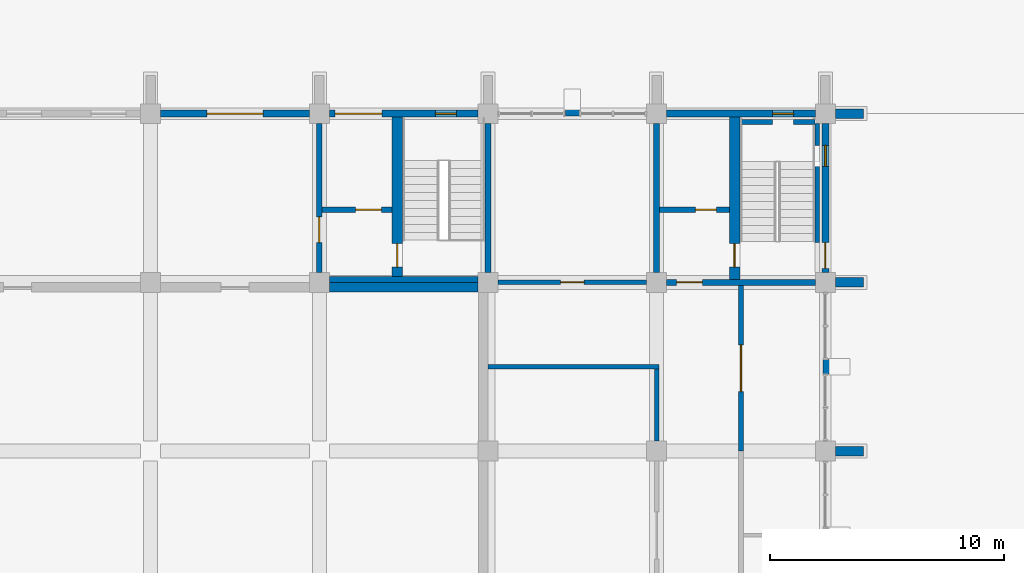
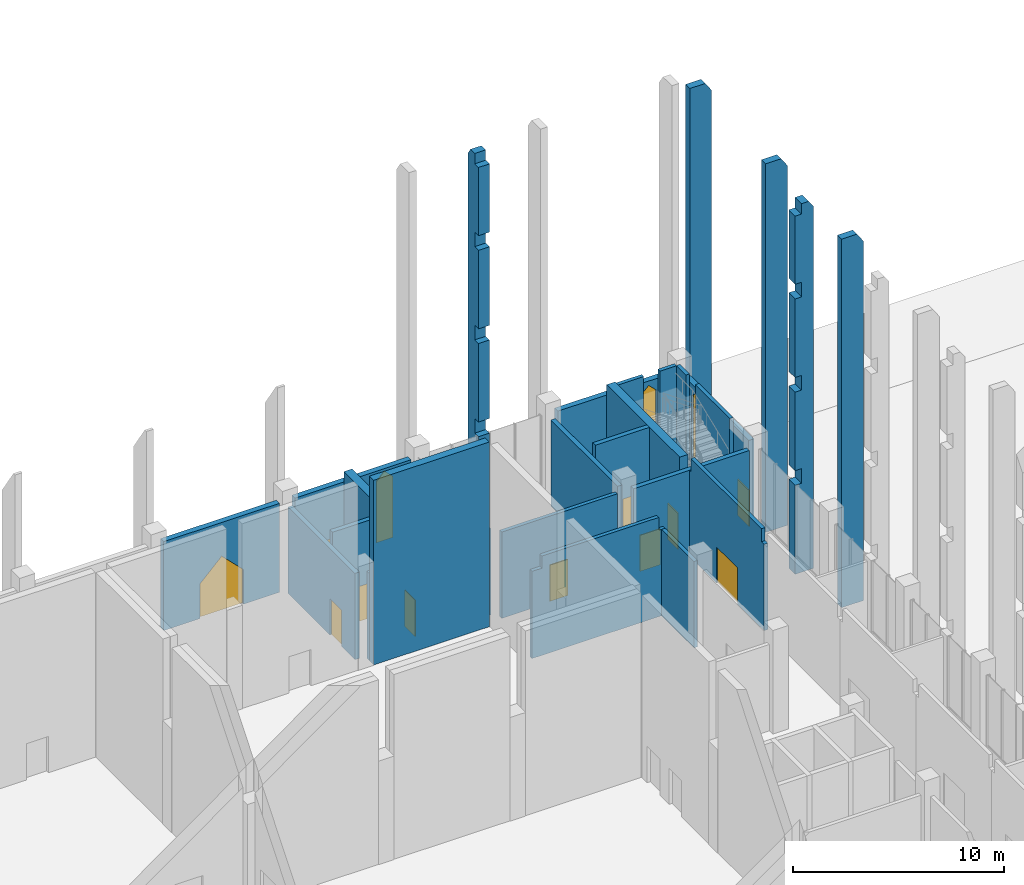
# One storey, part 39 of 50: 27 walls, 11 doors, 3 windows, 14 openings.
"""IFC4 building model written with IfcOpenShell, lengths in metres."""

from ifc_helpers import new_model, si_unit, direction, frame, frame_2d, origin, place, context, subcontext, project, spatial, polyline, rectangle, outline, extrude, material, layer, layer_set, type_object, element, fill, save


model = new_model("IFC4")

# Units and contexts
model_context = context("Model", 3, precision=1e-05, world=origin(), true_north=direction((0.0, 1.0)))
body_context = subcontext(model_context, "Body", "Model", "MODEL_VIEW")
ifc_project = project(units=[si_unit("LENGTHUNIT", "METRE"), si_unit("AREAUNIT", "SQUARE_METRE"), si_unit("VOLUMEUNIT", "CUBIC_METRE"), si_unit("PLANEANGLEUNIT", "RADIAN"), si_unit("MASSUNIT", "GRAM", prefix="KILO")], contexts=[model_context])

# Site, building, storey
site_placement = place(None, origin())
site = spatial("IfcSite", under=ifc_project, at=site_placement, CompositionType="ELEMENT")
building_placement = place(site_placement, origin())
building = spatial("IfcBuilding", under=site, at=building_placement, Name="Silangan Lancet Faculty of Sciences", CompositionType="ELEMENT")
storey_placement = place(building_placement, origin())
storey = spatial("IfcBuildingStorey", under=building, at=storey_placement, Name="L00", CompositionType="ELEMENT", Elevation=0.0)

# Wall, openings, window, door
ifc_material_1 = material(Name="Concrete C40/50 precast", Category="concrete")
ifc_layer_1 = layer(ifc_material_1, 0.300048828125)
ifc_layer_set_1 = layer_set([ifc_layer_1], Name="Concrete C40/50 precast")
wall_type_1 = type_object("IfcWallType", Name="EW2 Turret enclosure wall", PredefinedType="STANDARD", material=ifc_layer_set_1)
wall_1_placement = place(storey_placement, frame((86.39990234375, 50.824951171875, 0.0), z_axis=(0.0, 0.0, 1.0), x_axis=(0.0, 1.0, 0.0)))
wall_1 = element("IfcWall", 1, at=wall_1_placement, inside=storey, type_object=wall_type_1, Name="EW-L00-E-EB-07", PredefinedType="STANDARD", context=body_context, shape_type="SweptSolid", body=[
    extrude(rectangle(XDim=6.35009765625, YDim=0.300048828125, at=frame_2d((3.175048828125, 0.0))), origin(), (0.0, 0.0, 1.0), 5.14990234375),
])
opening_1_placement = place(wall_1_placement, frame((0.175048828125, 0.0, 0.0)))
opening_1 = element("IfcOpeningElement", 2, at=opening_1_placement, cuts=wall_1, Name="Opening L00-904", PredefinedType="OPENING", context=body_context, shape_type="SweptSolid", body=[
    extrude(rectangle(XDim=1.10009765625, YDim=2.10009765625, at=frame_2d((0.550048828125, 1.050048828125))), frame((0.0, 0.159912109375, 0.0), z_axis=(0.0, -1.0, 0.0), x_axis=(1.0, 0.0, 0.0)), (0.0, 0.0, 1.0), 0.320068359375),
])
opening_2_placement = place(wall_1_placement, frame((4.52490234375, 0.0, 0.89990234375)))
opening_2 = element("IfcOpeningElement", 3, at=opening_2_placement, cuts=wall_1, Name="Opening W2", PredefinedType="OPENING", context=body_context, shape_type="SweptSolid", body=[
    extrude(outline(polyline([(0.0, 0.0), (0.89990234375, 0.0), (0.89990234375, 3.550048828125), (0.449951171875, 4.0), (0.0, 3.550048828125), (0.0, 0.0)])), frame((0.0, 0.159912109375, 0.0), z_axis=(0.0, -1.0, 0.0), x_axis=(1.0, 0.0, 0.0)), (0.0, 0.0, 1.0), 0.320068359375),
])
ifc_material_2 = material(Name="Aluminium frame, laminated double glazing", Category="aluminium")
window_type = type_object("IfcWindowType", Name="W2 Lancet window 900 x 4000", PartitioningType="SINGLE_PANEL", PredefinedType="WINDOW", material=ifc_material_2)
window_1_placement = place(opening_2_placement, origin())
window_1 = element("IfcWindow", 4, at=window_1_placement, inside=storey, type_object=window_type, Name="WIN-L00-E-EB-07b", OverallHeight=4.0, OverallWidth=0.89990234375, PartitioningType="SINGLE_PANEL", PredefinedType="WINDOW", context=body_context, shape_type="SweptSolid", body=[
    extrude(outline(polyline([(0.0, 0.0), (0.89990234375, 0.0), (0.89990234375, 3.550048828125), (0.449951171875, 4.0), (0.0, 3.550048828125), (0.0, 0.0)])), frame((0.0, 0.030029296875, 0.0), z_axis=(0.0, -1.0, 0.0), x_axis=(1.0, 0.0, 0.0)), (0.0, 0.0, 1.0), 0.06005859375),
])
fill(opening_2, window_1)
ifc_material_3 = material(Name="Steel hollow-metal, fire rated", Category="steel")
door_type_1 = type_object("IfcDoorType", Name="XD1 Stair discharge door 1100 x 2100", OperationType="SINGLE_SWING_LEFT", PredefinedType="DOOR", material=ifc_material_3)
door_1_placement = place(opening_1_placement, frame((1.10009765625, 0.0, 0.0), z_axis=(0.0, 0.0, 1.0), x_axis=(-1.0, 0.0, 0.0)))
door_1 = element("IfcDoor", 5, at=door_1_placement, inside=storey, type_object=door_type_1, Name="DOOR-L00-904", OperationType="SINGLE_SWING_RIGHT", OverallHeight=2.10009765625, OverallWidth=1.10009765625, PredefinedType="DOOR", context=body_context, shape_type="SweptSolid", body=[
    extrude(rectangle(XDim=1.10009765625, YDim=2.10009765625, at=frame_2d((0.550048828125, 1.050048828125))), frame((0.0, 0.025146484375, 0.0), z_axis=(0.0, -1.0, 0.0), x_axis=(1.0, 0.0, 0.0)), (0.0, 0.0, 1.0), 0.050048828125),
])
fill(opening_1, door_1)

# Wall, opening, window
wall_2_placement = place(storey_placement, frame((85.97509765625, 57.60009765625, 0.0), z_axis=(0.0, 0.0, 1.0), x_axis=(-1.0, 0.0, 0.0)))
wall_2 = element("IfcWall", 6, at=wall_2_placement, inside=storey, type_object=wall_type_1, Name="EW-L00-N-EB-00", PredefinedType="STANDARD", context=body_context, shape_type="SweptSolid", body=[
    extrude(rectangle(XDim=6.35009765625, YDim=0.300048828125, at=frame_2d((3.175048828125, 0.0))), origin(), (0.0, 0.0, 1.0), 5.14990234375),
])
opening_3_placement = place(wall_2_placement, frame((0.925048828125, 0.0, 0.89990234375)))
opening_3 = element("IfcOpeningElement", 7, at=opening_3_placement, cuts=wall_2, Name="Opening W2", PredefinedType="OPENING", context=body_context, shape_type="SweptSolid", body=[
    extrude(outline(polyline([(0.0, 0.0), (0.89990234375, 0.0), (0.89990234375, 3.550048828125), (0.449951171875, 4.0), (0.0, 3.550048828125), (0.0, 0.0)])), frame((0.0, 0.159912109375, 0.0), z_axis=(0.0, -1.0, 0.0), x_axis=(1.0, 0.0, 0.0)), (0.0, 0.0, 1.0), 0.320068359375),
])
window_2_placement = place(opening_3_placement, origin())
window_2 = element("IfcWindow", 8, at=window_2_placement, inside=storey, type_object=window_type, Name="WIN-L00-N-EB-00a", OverallHeight=4.0, OverallWidth=0.89990234375, PartitioningType="SINGLE_PANEL", PredefinedType="WINDOW", context=body_context, shape_type="SweptSolid", body=[
    extrude(outline(polyline([(0.0, 0.0), (0.89990234375, 0.0), (0.89990234375, 3.550048828125), (0.449951171875, 4.0), (0.0, 3.550048828125), (0.0, 0.0)])), frame((0.0, 0.030029296875, 0.0), z_axis=(0.0, -1.0, 0.0), x_axis=(1.0, 0.0, 0.0)), (0.0, 0.0, 1.0), 0.06005859375),
])
fill(opening_3, window_2)

# Wall, openings, window, door
wall_3_placement = place(storey_placement, frame((71.574951171875, 57.60009765625, 0.0), z_axis=(0.0, 0.0, 1.0), x_axis=(-1.0, 0.0, 0.0)))
wall_3 = element("IfcWall", 9, at=wall_3_placement, inside=storey, type_object=wall_type_1, Name="EW-L00-N-NAB-00", PredefinedType="STANDARD", context=body_context, shape_type="SweptSolid", body=[
    extrude(rectangle(XDim=6.349853515625, YDim=0.300048828125, at=frame_2d((3.1748046875, 0.0))), origin(), (0.0, 0.0, 1.0), 5.14990234375),
])
opening_4_placement = place(wall_3_placement, frame((4.10009765625, 0.0, 0.0)))
opening_4 = element("IfcOpeningElement", 10, at=opening_4_placement, cuts=wall_3, Name="Opening L00-910", PredefinedType="OPENING", context=body_context, shape_type="SweptSolid", body=[
    extrude(rectangle(XDim=2.0, YDim=2.10009765625, at=frame_2d((1.0, 1.050048828125))), frame((0.0, 0.159912109375, 0.0), z_axis=(0.0, -1.0, 0.0), x_axis=(1.0, 0.0, 0.0)), (0.0, 0.0, 1.0), 0.320068359375),
])
opening_5_placement = place(wall_3_placement, frame((0.925048828125, 0.0, 0.89990234375)))
opening_5 = element("IfcOpeningElement", 11, at=opening_5_placement, cuts=wall_3, Name="Opening W2", PredefinedType="OPENING", context=body_context, shape_type="SweptSolid", body=[
    extrude(outline(polyline([(0.0, 0.0), (0.89990234375, 0.0), (0.89990234375, 3.550048828125), (0.449951171875, 4.0), (0.0, 3.550048828125), (0.0, 0.0)])), frame((0.0, 0.159912109375, 0.0), z_axis=(0.0, -1.0, 0.0), x_axis=(1.0, 0.0, 0.0)), (0.0, 0.0, 1.0), 0.320068359375),
])
window_3_placement = place(opening_5_placement, origin())
window_3 = element("IfcWindow", 12, at=window_3_placement, inside=storey, type_object=window_type, Name="WIN-L00-N-NAB-00a", OverallHeight=4.0, OverallWidth=0.89990234375, PartitioningType="SINGLE_PANEL", PredefinedType="WINDOW", context=body_context, shape_type="SweptSolid", body=[
    extrude(outline(polyline([(0.0, 0.0), (0.89990234375, 0.0), (0.89990234375, 3.550048828125), (0.449951171875, 4.0), (0.0, 3.550048828125), (0.0, 0.0)])), frame((0.0, 0.030029296875, 0.0), z_axis=(0.0, -1.0, 0.0), x_axis=(1.0, 0.0, 0.0)), (0.0, 0.0, 1.0), 0.06005859375),
])
fill(opening_5, window_3)
ifc_material_4 = material(Name="Steel hollow-metal, fire rated", Category="steel")
door_type_2 = type_object("IfcDoorType", Name="XD2 Exit passage door pair 2000 x 2100", OperationType="DOUBLE_DOOR_SINGLE_SWING", PredefinedType="DOOR", material=ifc_material_4)
door_2_placement = place(opening_4_placement, frame((2.0, 0.0, 0.0), z_axis=(0.0, 0.0, 1.0), x_axis=(-1.0, 0.0, 0.0)))
door_2 = element("IfcDoor", 13, at=door_2_placement, inside=storey, type_object=door_type_2, Name="DOOR-L00-910", OperationType="DOUBLE_DOOR_SINGLE_SWING", OverallHeight=2.10009765625, OverallWidth=2.0, PredefinedType="DOOR", context=body_context, shape_type="SweptSolid", body=[
    extrude(rectangle(XDim=2.0, YDim=2.10009765625, at=frame_2d((1.0, 1.050048828125))), frame((0.0, 0.025146484375, 0.0), z_axis=(0.0, -1.0, 0.0), x_axis=(1.0, 0.0, 0.0)), (0.0, 0.0, 1.0), 0.050048828125),
])
fill(opening_4, door_2)

# Wall, opening, door
ifc_material_5 = material(Name="Concrete C40/50", Category="concrete")
ifc_layer_2 = layer(ifc_material_5, 0.300048828125)
ifc_layer_set_2 = layer_set([ifc_layer_2], Name="Concrete C40/50")
wall_type_2 = type_object("IfcWallType", Name="EW6 Stone-faced base wall", PredefinedType="STANDARD", material=ifc_layer_set_2)
wall_4_placement = place(storey_placement, frame((64.375, 57.60009765625, 0.0), z_axis=(0.0, 0.0, 1.0), x_axis=(-1.0, 0.0, 0.0)))
wall_4 = element("IfcWall", 14, at=wall_4_placement, inside=storey, type_object=wall_type_2, Name="EW-L00-N-NAB-01", PredefinedType="STANDARD", context=body_context, shape_type="SweptSolid", body=[
    extrude(rectangle(XDim=6.35009765625, YDim=0.300048828125, at=frame_2d((3.175048828125, 0.0))), origin(), (0.0, 0.0, 1.0), 5.14990234375),
])
opening_6_placement = place(wall_4_placement, frame((1.97509765625, 0.0, 0.0)))
opening_6 = element("IfcOpeningElement", 15, at=opening_6_placement, cuts=wall_4, Name="Opening L00-915", PredefinedType="OPENING", context=body_context, shape_type="SweptSolid", body=[
    extrude(outline(polyline([(0.0, 0.0), (2.39990234375, 0.0), (2.39990234375, 2.0), (1.199951171875, 3.199951171875), (0.0, 2.0), (0.0, 0.0)])), frame((0.0, 0.159912109375, 0.0), z_axis=(0.0, -1.0, 0.0), x_axis=(1.0, 0.0, 0.0)), (0.0, 0.0, 1.0), 0.320068359375),
])
ifc_material_6 = material(Name="Aluminium frame, laminated glazing", Category="aluminium")
door_type_3 = type_object("IfcDoorType", Name="XD5 Entrance door pair 2400 x 3200", OperationType="DOUBLE_DOOR_SINGLE_SWING", PredefinedType="DOOR", material=ifc_material_6)
door_3_placement = place(opening_6_placement, frame((2.39990234375, 0.0, 0.0), z_axis=(0.0, 0.0, 1.0), x_axis=(-1.0, 0.0, 0.0)))
door_3 = element("IfcDoor", 16, at=door_3_placement, inside=storey, type_object=door_type_3, Name="DOOR-L00-915", OperationType="DOUBLE_DOOR_SINGLE_SWING", OverallHeight=3.199951171875, OverallWidth=2.39990234375, PredefinedType="DOOR", context=body_context, shape_type="SweptSolid", body=[
    extrude(outline(polyline([(2.39990234375, 2.0), (1.199951171875, 3.199951171875), (0.0, 2.0), (0.0, 0.0), (2.39990234375, 0.0), (2.39990234375, 2.0)])), frame((0.0, 0.025146484375, 0.0), z_axis=(0.0, -1.0, 0.0), x_axis=(1.0, 0.0, 0.0)), (0.0, 0.0, 1.0), 0.050048828125),
])
fill(opening_6, door_3)

# Walls
ifc_material_7 = material(Name="Concrete C40/50 precast", Category="concrete")
ifc_layer_3 = layer(ifc_material_7, 0.60009765625)
ifc_layer_set_3 = layer_set([ifc_layer_3], Name="Concrete C40/50 precast")
wall_type_3 = type_object("IfcWallType", Name="FN1 Buttress Fin mid-bay stage 1 21350", PredefinedType="POLYGONAL", material=ifc_layer_set_3)
for number, where, z_axis, x_axis, name in (
    (17, (86.300048828125, 46.800048828125, 0.0), (0.0, 0.0, 1.0), (1.0, 0.0, 0.0), "FIN-E-EB-11"),
    (18, (75.60009765625, 57.5, 0.0), (0.0, 0.0, 1.0), (0.0, 1.0, 0.0), "FIN-N-EB-1"),
):
    element("IfcWall", number, at=place(storey_placement, frame(where, z_axis=z_axis, x_axis=x_axis)), inside=storey, type_object=wall_type_3, Name=name, PredefinedType="POLYGONAL", context=body_context, shape_type="SweptSolid", body=[
        extrude(outline(polyline([(1.0, 0.0), (1.0, 20.97509765625), (0.75, 21.35009765625), (0.35009765625, 21.35009765625), (0.35009765625, 20.75), (0.0, 20.75), (0.0, 16.800048828125), (0.35009765625, 16.800048828125), (0.35009765625, 15.949951171875), (0.0, 15.949951171875), (0.0, 11.39990234375), (0.35009765625, 11.39990234375), (0.35009765625, 10.550048828125), (0.0, 10.550048828125), (0.0, 6.0), (0.35009765625, 6.0), (0.35009765625, 5.14990234375), (0.0, 5.14990234375), (0.0, 0.0), (1.0, 0.0)])), frame((0.0, 0.300048828125, 0.0), z_axis=(0.0, -1.0, 0.0), x_axis=(1.0, 0.0, 0.0)), (0.0, 0.0, 1.0), 0.60009765625),
    ])
ifc_material_8 = material(Name="Concrete C40/50 precast", Category="concrete")
ifc_layer_4 = layer(ifc_material_8, 0.39990234375)
ifc_layer_set_4 = layer_set([ifc_layer_4], Name="Concrete C40/50 precast")
wall_type_4 = type_object("IfcWallType", Name="FN55 Buttress Fin column line stage 1 21350", PredefinedType="POLYGONAL", material=ifc_layer_set_4)
for number, where, z_axis, x_axis, name in (
    (19, (86.824951171875, 43.199951171875, 0.0), (0.0, 0.0, 1.0), (1.0, 0.0, 0.0), "FINC-E-EB-07"),
    (20, (86.824951171875, 50.39990234375, 0.0), (0.0, 0.0, 1.0), (1.0, 0.0, 0.0), "FINC-E-EB-08"),
    (21, (86.824951171875, 57.60009765625, 0.0), (0.0, 0.0, 1.0), (1.0, 0.0, 0.0), "FINC-E-EB-09"),
):
    element("IfcWall", number, at=place(storey_placement, frame(where, z_axis=z_axis, x_axis=x_axis)), inside=storey, type_object=wall_type_4, Name=name, PredefinedType="POLYGONAL", context=body_context, shape_type="SweptSolid", body=[
        extrude(outline(polyline([(1.199951171875, 0.0), (1.199951171875, 20.824951171875), (0.85009765625, 21.35009765625), (0.0, 21.35009765625), (0.0, 0.0), (1.199951171875, 0.0)])), frame((0.0, 0.199951171875, 0.0), z_axis=(0.0, -1.0, 0.0), x_axis=(1.0, 0.0, 0.0)), (0.0, 0.0, 1.0), 0.39990234375),
    ])
ifc_material_9 = material(Name="Hollow block masonry fm 7 MPa", Category="masonry")
ifc_layer_5 = layer(ifc_material_9, 0.199951171875)
ifc_layer_set_5 = layer_set([ifc_layer_5], Name="Hollow block masonry fm 7 MPa")
wall_type_5 = type_object("IfcWallType", Name="Interior wall PW1 Corridor wall CHB 200", PredefinedType="PARTITIONING", material=ifc_layer_set_5)
wall_5_placement = place(storey_placement, frame((72.0, 46.800048828125, 0.0), z_axis=(0.0, 0.0, 1.0), x_axis=(1.0, 0.0, 0.0)))
element("IfcWall", 22, at=wall_5_placement, inside=storey, type_object=wall_type_5, Name="Corridor wall CHB 200", PredefinedType="PARTITIONING", context=body_context, shape_type="SweptSolid", body=[
    extrude(outline(polyline([(0.0, 0.0), (7.300048828125, 0.0), (7.300048828125, 5.0), (6.949951171875, 5.0), (6.949951171875, 5.75), (0.550048828125, 5.75), (0.550048828125, 5.050048828125), (0.0, 5.050048828125), (0.0, 0.0)])), frame((0.0, 0.10009765625, 0.0), z_axis=(0.0, -1.0, 0.0), x_axis=(1.0, 0.0, 0.0)), (0.0, 0.0, 1.0), 0.199951171875),
])

# Wall, opening, door
wall_6_placement = place(storey_placement, frame((72.425048828125, 50.39990234375, 0.0), z_axis=(0.0, 0.0, 1.0), x_axis=(1.0, 0.0, 0.0)))
wall_6 = element("IfcWall", 23, at=wall_6_placement, inside=storey, type_object=wall_type_5, Name="Corridor wall CHB 200", PredefinedType="PARTITIONING", context=body_context, shape_type="SweptSolid", body=[
    extrude(rectangle(XDim=6.349853515625, YDim=0.199951171875, at=frame_2d((3.1748046875, 0.0))), origin(), (0.0, 0.0, 1.0), 5.0),
])
opening_7_placement = place(wall_6_placement, frame((2.675048828125, 0.0, 0.0)))
opening_7 = element("IfcOpeningElement", 24, at=opening_7_placement, cuts=wall_6, Name="Opening L00-028", PredefinedType="OPENING", context=body_context, shape_type="SweptSolid", body=[
    extrude(rectangle(XDim=1.0, YDim=2.10009765625, at=frame_2d((0.5, 1.050048828125))), frame((0.0, 0.10986328125, 0.0), z_axis=(0.0, -1.0, 0.0), x_axis=(1.0, 0.0, 0.0)), (0.0, 0.0, 1.0), 0.219970703125),
])
ifc_material_10 = material(Name="Steel fire door set", Category="steel")
door_type_4 = type_object("IfcDoorType", Name="Door D1 Single leaf fire door 1000 x 2100", OperationType="SINGLE_SWING_LEFT", PredefinedType="DOOR", material=ifc_material_10)
door_4_placement = place(opening_7_placement, origin())
door_4 = element("IfcDoor", 25, at=door_4_placement, inside=storey, type_object=door_type_4, Name="Single leaf fire door 1000 x 2100", OperationType="SINGLE_SWING_LEFT", OverallHeight=2.10009765625, OverallWidth=1.0, PredefinedType="DOOR", context=body_context, shape_type="SweptSolid", body=[
    extrude(rectangle(XDim=1.0, YDim=2.10009765625, at=frame_2d((0.5, 1.050048828125))), frame((0.0, 0.02490234375, 0.0), z_axis=(0.0, -1.0, 0.0), x_axis=(1.0, 0.0, 0.0)), (0.0, 0.0, 1.0), 0.050048828125),
])
fill(opening_7, door_4)

# Wall
wall_7_placement = place(storey_placement, frame((79.199951171875, 43.625, 0.0), z_axis=(0.0, 0.0, 1.0), x_axis=(0.0, 1.0, 0.0)))
element("IfcWall", 26, at=wall_7_placement, inside=storey, type_object=wall_type_5, Name="Corridor wall CHB 200", PredefinedType="PARTITIONING", context=body_context, shape_type="SweptSolid", body=[
    extrude(rectangle(XDim=3.074951171875, YDim=0.199951171875, at=frame_2d((1.53759765625, 0.0))), origin(), (0.0, 0.0, 1.0), 5.0),
])

# Wall, opening, door
wall_8_placement = place(storey_placement, frame((82.800048828125, 43.199951171875, 0.0), z_axis=(0.0, 0.0, 1.0), x_axis=(0.0, 1.0, 0.0)))
wall_8 = element("IfcWall", 27, at=wall_8_placement, inside=storey, type_object=wall_type_5, Name="Corridor wall CHB 200", PredefinedType="PARTITIONING", context=body_context, shape_type="SweptSolid", body=[
    extrude(outline(polyline([(0.0, 0.0), (7.074951171875, 0.0), (7.074951171875, 5.0), (6.949951171875, 5.0), (6.949951171875, 5.75), (0.25, 5.75), (0.25, 5.0), (0.0, 5.0), (0.0, 0.0)])), frame((0.0, 0.10009765625, 0.0), z_axis=(0.0, -1.0, 0.0), x_axis=(1.0, 0.0, 0.0)), (0.0, 0.0, 1.0), 0.199951171875),
])
opening_8_placement = place(wall_8_placement, frame((2.537353515625, 0.0, 0.0)))
opening_8 = element("IfcOpeningElement", 28, at=opening_8_placement, cuts=wall_8, Name="Opening L00-034", PredefinedType="OPENING", context=body_context, shape_type="SweptSolid", body=[
    extrude(rectangle(XDim=2.0, YDim=2.10009765625, at=frame_2d((1.0, 1.050048828125))), frame((0.0, 0.10986328125, 0.0), z_axis=(0.0, -1.0, 0.0), x_axis=(1.0, 0.0, 0.0)), (0.0, 0.0, 1.0), 0.219970703125),
])
ifc_material_11 = material(Name="Steel fire door set", Category="steel")
door_type_5 = type_object("IfcDoorType", Name="Door D4 Double leaf fire door 2000 x 2100", OperationType="DOUBLE_DOOR_SINGLE_SWING", PredefinedType="DOOR", material=ifc_material_11)
door_5_placement = place(opening_8_placement, origin())
door_5 = element("IfcDoor", 29, at=door_5_placement, inside=storey, type_object=door_type_5, Name="Double leaf fire door 2000 x 2100", OperationType="DOUBLE_DOOR_SINGLE_SWING", OverallHeight=2.10009765625, OverallWidth=2.0, PredefinedType="DOOR", context=body_context, shape_type="SweptSolid", body=[
    extrude(rectangle(XDim=2.0, YDim=2.10009765625, at=frame_2d((1.0, 1.050048828125))), frame((0.0, 0.02490234375, 0.0), z_axis=(0.0, -1.0, 0.0), x_axis=(1.0, 0.0, 0.0)), (0.0, 0.0, 1.0), 0.050048828125),
])
fill(opening_8, door_5)

# Wall
ifc_material_12 = material(Name="Concrete C35/45", Category="concrete")
ifc_layer_6 = layer(ifc_material_12, 0.39990234375)
ifc_layer_set_6 = layer_set([ifc_layer_6], Name="Concrete C35/45")
wall_type_6 = type_object("IfcWallType", Name="Interior wall PW10 Theatre box wall RC 400", PredefinedType="SOLIDWALL", material=ifc_layer_set_6)
wall_9_placement = place(storey_placement, frame((65.22509765625, 50.199951171875, 0.0), z_axis=(0.0, 0.0, 1.0), x_axis=(1.0, 0.0, 0.0)))
element("IfcWall", 30, at=wall_9_placement, inside=storey, type_object=wall_type_6, Name="Theatre box wall RC 400", PredefinedType="SOLIDWALL", context=body_context, shape_type="SweptSolid", body=[
    extrude(rectangle(XDim=6.349853515625, YDim=0.39990234375, at=frame_2d((3.1748046875, 0.0))), origin(), (0.0, 0.0, 1.0), 10.699951171875),
])

# Wall, opening, door
ifc_material_13 = material(Name="Concrete C40/50", Category="concrete")
ifc_layer_7 = layer(ifc_material_13, 0.449951171875)
ifc_layer_set_7 = layer_set([ifc_layer_7], Name="Concrete C40/50")
wall_type_7 = type_object("IfcWallType", Name="TURRET CORE WALL RC 450", PredefinedType="SHEAR", material=ifc_layer_set_7)
wall_10_placement = place(storey_placement, frame((82.52490234375, 50.52490234375, 0.0), z_axis=(0.0, 0.0, 1.0), x_axis=(0.0, 1.0, 0.0)))
wall_10 = element("IfcWall", 31, at=wall_10_placement, inside=storey, type_object=wall_type_7, Name="WALL-L00-EB-B-WELL", PredefinedType="SHEAR", context=body_context, shape_type="SweptSolid", body=[
    extrude(rectangle(XDim=6.925048828125, YDim=0.449951171875, at=frame_2d((3.46240234375, 0.0))), origin(), (0.0, 0.0, 1.0), 5.75),
])
opening_9_placement = place(wall_10_placement, frame((0.52490234375, 0.0, 0.0)))
opening_9 = element("IfcOpeningElement", 32, at=opening_9_placement, cuts=wall_10, Name="Opening L00-704", PredefinedType="OPENING", context=body_context, shape_type="SweptSolid", body=[
    extrude(rectangle(XDim=1.0, YDim=2.10009765625, at=frame_2d((0.5, 1.050048828125))), frame((0.0, 0.23486328125, 0.0), z_axis=(0.0, -1.0, 0.0), x_axis=(1.0, 0.0, 0.0)), (0.0, 0.0, 1.0), 0.469970703125),
])
ifc_material_14 = material(Name="Steel fire door set", Category="steel")
door_type_6 = type_object("IfcDoorType", Name="D71 Stair enclosure door 1000x2100", OperationType="SINGLE_SWING_LEFT", PredefinedType="DOOR", material=ifc_material_14)
door_6_placement = place(opening_9_placement, frame((1.0, 0.0, 0.0), z_axis=(0.0, 0.0, 1.0), x_axis=(-1.0, 0.0, 0.0)))
door_6 = element("IfcDoor", 33, at=door_6_placement, inside=storey, type_object=door_type_6, Name="Stair enclosure door EB-B L00", OperationType="SINGLE_SWING_RIGHT", OverallHeight=2.10009765625, OverallWidth=1.0, PredefinedType="DOOR", context=body_context, shape_type="SweptSolid", body=[
    extrude(rectangle(XDim=1.0, YDim=2.10009765625, at=frame_2d((0.5, 1.050048828125))), frame((0.0, 0.025146484375, 0.0), z_axis=(0.0, -1.0, 0.0), x_axis=(1.0, 0.0, 0.0)), (0.0, 0.0, 1.0), 0.050048828125),
])
fill(opening_9, door_6)

wall_11_placement = place(storey_placement, frame((68.125, 50.64990234375, 0.0), z_axis=(0.0, 0.0, 1.0), x_axis=(0.0, 1.0, 0.0)))
wall_11 = element("IfcWall", 34, at=wall_11_placement, inside=storey, type_object=wall_type_7, Name="WALL-L00-NAB-B-WELL", PredefinedType="SHEAR", context=body_context, shape_type="SweptSolid", body=[
    extrude(rectangle(XDim=6.800048828125, YDim=0.449951171875, at=frame_2d((3.39990234375, 0.0))), origin(), (0.0, 0.0, 1.0), 5.75),
])
opening_10_placement = place(wall_11_placement, frame((0.39990234375, 0.0, 0.0)))
opening_10 = element("IfcOpeningElement", 35, at=opening_10_placement, cuts=wall_11, Name="Opening L00-710", PredefinedType="OPENING", context=body_context, shape_type="SweptSolid", body=[
    extrude(rectangle(XDim=1.0, YDim=2.10009765625, at=frame_2d((0.5, 1.050048828125))), frame((0.0, 0.23486328125, 0.0), z_axis=(0.0, -1.0, 0.0), x_axis=(1.0, 0.0, 0.0)), (0.0, 0.0, 1.0), 0.469970703125),
])
door_7_placement = place(opening_10_placement, frame((1.0, 0.0, 0.0), z_axis=(0.0, 0.0, 1.0), x_axis=(-1.0, 0.0, 0.0)))
door_7 = element("IfcDoor", 36, at=door_7_placement, inside=storey, type_object=door_type_6, Name="Stair enclosure door NAB-B L00", OperationType="SINGLE_SWING_RIGHT", OverallHeight=2.10009765625, OverallWidth=1.0, PredefinedType="DOOR", context=body_context, shape_type="SweptSolid", body=[
    extrude(rectangle(XDim=1.0, YDim=2.10009765625, at=frame_2d((0.5, 1.050048828125))), frame((0.0, 0.025146484375, 0.0), z_axis=(0.0, -1.0, 0.0), x_axis=(1.0, 0.0, 0.0)), (0.0, 0.0, 1.0), 0.050048828125),
])
fill(opening_10, door_7)

# Walls
ifc_material_15 = material(Name="Concrete C40/50", Category="concrete")
ifc_layer_8 = layer(ifc_material_15, 0.199951171875)
ifc_layer_set_8 = layer_set([ifc_layer_8], Name="Concrete C40/50")
wall_type_8 = type_object("IfcWallType", Name="TURRET LINING WALL RC 200", PredefinedType="SHEAR", material=ifc_layer_set_8)
wall_12_placement = place(storey_placement, frame((86.050048828125, 52.10009765625, -0.300048828125), z_axis=(0.0, 0.0, 1.0), x_axis=(0.0, 1.0, 0.0)))
element("IfcWall", 37, at=wall_12_placement, inside=storey, type_object=wall_type_8, Name="WALL-L00-EB-B-WL", PredefinedType="SHEAR", context=body_context, shape_type="SweptSolid", body=[
    extrude(rectangle(XDim=3.25, YDim=0.199951171875, at=frame_2d((1.625, 0.0))), origin(), (0.0, 0.0, 1.0), 6.050048828125),
])
wall_13_placement = place(storey_placement, frame((86.050048828125, 56.25, -0.300048828125), z_axis=(0.0, 0.0, 1.0), x_axis=(0.0, 1.0, 0.0)))
element("IfcWall", 38, at=wall_13_placement, inside=storey, type_object=wall_type_8, Name="WALL-L00-EB-B-WL-2", PredefinedType="SHEAR", context=body_context, shape_type="SweptSolid", body=[
    extrude(rectangle(XDim=0.925048828125, YDim=0.199951171875, at=frame_2d((0.46240234375, 0.0))), origin(), (0.0, 0.0, 1.0), 6.050048828125),
])
wall_14_placement = place(storey_placement, frame((82.75, 57.25, -0.300048828125), z_axis=(0.0, 0.0, 1.0), x_axis=(1.0, 0.0, 0.0)))
element("IfcWall", 39, at=wall_14_placement, inside=storey, type_object=wall_type_8, Name="WALL-L00-EB-B-WLD", PredefinedType="SHEAR", context=body_context, shape_type="SweptSolid", body=[
    extrude(rectangle(XDim=1.39990234375, YDim=0.199951171875, at=frame_2d((0.699951171875, 0.0))), origin(), (0.0, 0.0, 1.0), 6.050048828125),
])
wall_15_placement = place(storey_placement, frame((85.050048828125, 57.25, -0.300048828125), z_axis=(0.0, 0.0, 1.0), x_axis=(1.0, 0.0, 0.0)))
element("IfcWall", 40, at=wall_15_placement, inside=storey, type_object=wall_type_8, Name="WALL-L00-EB-B-WLD-2", PredefinedType="SHEAR", context=body_context, shape_type="SweptSolid", body=[
    extrude(rectangle(XDim=0.89990234375, YDim=0.199951171875, at=frame_2d((0.449951171875, 0.0))), origin(), (0.0, 0.0, 1.0), 6.050048828125),
])

# Wall, opening, door
ifc_material_16 = material(Name="Concrete C40/50", Category="concrete")
ifc_layer_9 = layer(ifc_material_16, 0.25)
ifc_layer_set_9 = layer_set([ifc_layer_9], Name="Concrete C40/50")
wall_type_9 = type_object("IfcWallType", Name="TURRET WALL RC 250", PredefinedType="SHEAR", material=ifc_layer_set_9)
wall_16_placement = place(storey_placement, frame((79.625, 50.39990234375, 0.0), z_axis=(0.0, 0.0, 1.0), x_axis=(1.0, 0.0, 0.0)))
wall_16 = element("IfcWall", 41, at=wall_16_placement, inside=storey, type_object=wall_type_9, Name="WALL-L00-EB-B-V", PredefinedType="SHEAR", context=body_context, shape_type="SweptSolid", body=[
    extrude(rectangle(XDim=6.35009765625, YDim=0.25, at=frame_2d((3.175048828125, 0.0))), origin(), (0.0, 0.0, 1.0), 5.0),
])
opening_11_placement = place(wall_16_placement, frame((0.425048828125, 0.0, 0.0)))
opening_11 = element("IfcOpeningElement", 42, at=opening_11_placement, cuts=wall_16, Name="Opening L00-705", PredefinedType="OPENING", context=body_context, shape_type="SweptSolid", body=[
    extrude(rectangle(XDim=1.10009765625, YDim=2.10009765625, at=frame_2d((0.550048828125, 1.050048828125))), frame((0.0, 0.135009765625, 0.0), z_axis=(0.0, -1.0, 0.0), x_axis=(1.0, 0.0, 0.0)), (0.0, 0.0, 1.0), 0.27001953125),
])
ifc_material_17 = material(Name="Steel fire door set", Category="steel")
door_type_7 = type_object("IfcDoorType", Name="D70 Stair vestibule door 1100x2100", OperationType="SINGLE_SWING_LEFT", PredefinedType="DOOR", material=ifc_material_17)
door_8_placement = place(opening_11_placement, origin())
door_8 = element("IfcDoor", 43, at=door_8_placement, inside=storey, type_object=door_type_7, Name="Stair vestibule door EB-B L00", OperationType="SINGLE_SWING_LEFT", OverallHeight=2.10009765625, OverallWidth=1.10009765625, PredefinedType="DOOR", context=body_context, shape_type="SweptSolid", body=[
    extrude(rectangle(XDim=1.10009765625, YDim=2.10009765625, at=frame_2d((0.550048828125, 1.050048828125))), frame((0.0, 0.02490234375, 0.0), z_axis=(0.0, -1.0, 0.0), x_axis=(1.0, 0.0, 0.0)), (0.0, 0.0, 1.0), 0.050048828125),
])
fill(opening_11, door_8)

# Wall
wall_17_placement = place(storey_placement, frame((79.199951171875, 50.824951171875, 0.0), z_axis=(0.0, 0.0, 1.0), x_axis=(0.0, 1.0, 0.0)))
element("IfcWall", 44, at=wall_17_placement, inside=storey, type_object=wall_type_9, Name="WALL-L00-EB-B-O", PredefinedType="SHEAR", context=body_context, shape_type="SweptSolid", body=[
    extrude(rectangle(XDim=6.35009765625, YDim=0.25, at=frame_2d((3.175048828125, 0.0))), origin(), (0.0, 0.0, 1.0), 5.0),
])

# Wall, opening, door
wall_18_placement = place(storey_placement, frame((79.324951171875, 53.5, 0.0), z_axis=(0.0, 0.0, 1.0), x_axis=(1.0, 0.0, 0.0)))
wall_18 = element("IfcWall", 45, at=wall_18_placement, inside=storey, type_object=wall_type_9, Name="WALL-L00-EB-B-RISER", PredefinedType="SHEAR", context=body_context, shape_type="SweptSolid", body=[
    extrude(rectangle(XDim=2.97509765625, YDim=0.25, at=frame_2d((1.487548828125, 0.0))), origin(), (0.0, 0.0, 1.0), 5.75),
])
opening_12_placement = place(wall_18_placement, frame((1.52490234375, 0.0, 0.0)))
opening_12 = element("IfcOpeningElement", 46, at=opening_12_placement, cuts=wall_18, Name="Opening L00-706", PredefinedType="OPENING", context=body_context, shape_type="SweptSolid", body=[
    extrude(rectangle(XDim=0.89990234375, YDim=2.10009765625, at=frame_2d((0.449951171875, 1.050048828125))), frame((0.0, 0.135009765625, 0.0), z_axis=(0.0, -1.0, 0.0), x_axis=(1.0, 0.0, 0.0)), (0.0, 0.0, 1.0), 0.27001953125),
])
ifc_material_18 = material(Name="Steel fire door set", Category="steel")
door_type_8 = type_object("IfcDoorType", Name="D72 Riser access door 900x2100", OperationType="SINGLE_SWING_LEFT", PredefinedType="DOOR", material=ifc_material_18)
door_9_placement = place(opening_12_placement, origin())
door_9 = element("IfcDoor", 47, at=door_9_placement, inside=storey, type_object=door_type_8, Name="Riser access door EB-B L00", OperationType="SINGLE_SWING_LEFT", OverallHeight=2.10009765625, OverallWidth=0.89990234375, PredefinedType="DOOR", context=body_context, shape_type="SweptSolid", body=[
    extrude(rectangle(XDim=0.89990234375, YDim=2.10009765625, at=frame_2d((0.449951171875, 1.050048828125))), frame((0.0, 0.02490234375, 0.0), z_axis=(0.0, -1.0, 0.0), x_axis=(1.0, 0.0, 0.0)), (0.0, 0.0, 1.0), 0.050048828125),
])
fill(opening_12, door_9)

# Walls
wall_19_placement = place(storey_placement, frame((65.22509765625, 50.52490234375, 0.0), z_axis=(0.0, 0.0, 1.0), x_axis=(1.0, 0.0, 0.0)))
element("IfcWall", 48, at=wall_19_placement, inside=storey, type_object=wall_type_9, Name="WALL-L00-NAB-B-V", PredefinedType="SHEAR", context=body_context, shape_type="SweptSolid", body=[
    extrude(rectangle(XDim=6.349853515625, YDim=0.25, at=frame_2d((3.1748046875, 0.0))), origin(), (0.0, 0.0, 1.0), 5.050048828125),
])
wall_20_placement = place(storey_placement, frame((72.0, 50.824951171875, 0.0), z_axis=(0.0, 0.0, 1.0), x_axis=(0.0, 1.0, 0.0)))
element("IfcWall", 49, at=wall_20_placement, inside=storey, type_object=wall_type_9, Name="WALL-L00-NAB-B-W", PredefinedType="SHEAR", context=body_context, shape_type="SweptSolid", body=[
    extrude(rectangle(XDim=6.35009765625, YDim=0.25, at=frame_2d((3.175048828125, 0.0))), origin(), (0.0, 0.0, 1.0), 5.0),
])

# Wall, opening, door
wall_21_placement = place(storey_placement, frame((64.800048828125, 50.824951171875, 0.0), z_axis=(0.0, 0.0, 1.0), x_axis=(0.0, 1.0, 0.0)))
wall_21 = element("IfcWall", 50, at=wall_21_placement, inside=storey, type_object=wall_type_9, Name="WALL-L00-NAB-B-O", PredefinedType="SHEAR", context=body_context, shape_type="SweptSolid", body=[
    extrude(rectangle(XDim=6.35009765625, YDim=0.25, at=frame_2d((3.175048828125, 0.0))), origin(), (0.0, 0.0, 1.0), 5.0),
])
opening_13_placement = place(wall_21_placement, frame((1.27490234375, 0.0, 0.0)))
opening_13 = element("IfcOpeningElement", 51, at=opening_13_placement, cuts=wall_21, Name="Opening L00-711", PredefinedType="OPENING", context=body_context, shape_type="SweptSolid", body=[
    extrude(rectangle(XDim=1.10009765625, YDim=2.10009765625, at=frame_2d((0.550048828125, 1.050048828125))), frame((0.0, 0.135009765625, 0.0), z_axis=(0.0, -1.0, 0.0), x_axis=(1.0, 0.0, 0.0)), (0.0, 0.0, 1.0), 0.27001953125),
])
door_10_placement = place(opening_13_placement, frame((1.10009765625, 0.0, 0.0), z_axis=(0.0, 0.0, 1.0), x_axis=(-1.0, 0.0, 0.0)))
door_10 = element("IfcDoor", 52, at=door_10_placement, inside=storey, type_object=door_type_7, Name="Stair vestibule door NAB-B L00", OperationType="SINGLE_SWING_RIGHT", OverallHeight=2.10009765625, OverallWidth=1.10009765625, PredefinedType="DOOR", context=body_context, shape_type="SweptSolid", body=[
    extrude(rectangle(XDim=1.10009765625, YDim=2.10009765625, at=frame_2d((0.550048828125, 1.050048828125))), frame((0.0, 0.025146484375, 0.0), z_axis=(0.0, -1.0, 0.0), x_axis=(1.0, 0.0, 0.0)), (0.0, 0.0, 1.0), 0.050048828125),
])
fill(opening_13, door_10)

wall_22_placement = place(storey_placement, frame((64.925048828125, 53.5, 0.0), z_axis=(0.0, 0.0, 1.0), x_axis=(1.0, 0.0, 0.0)))
wall_22 = element("IfcWall", 53, at=wall_22_placement, inside=storey, type_object=wall_type_9, Name="WALL-L00-NAB-B-RISER", PredefinedType="SHEAR", context=body_context, shape_type="SweptSolid", body=[
    extrude(rectangle(XDim=2.974853515625, YDim=0.25, at=frame_2d((1.4873046875, 0.0))), origin(), (0.0, 0.0, 1.0), 5.75),
])
opening_14_placement = place(wall_22_placement, frame((1.425048828125, 0.0, 0.0)))
opening_14 = element("IfcOpeningElement", 54, at=opening_14_placement, cuts=wall_22, Name="Opening L00-712", PredefinedType="OPENING", context=body_context, shape_type="SweptSolid", body=[
    extrude(rectangle(XDim=1.10009765625, YDim=2.10009765625, at=frame_2d((0.550048828125, 1.050048828125))), frame((0.0, 0.135009765625, 0.0), z_axis=(0.0, -1.0, 0.0), x_axis=(1.0, 0.0, 0.0)), (0.0, 0.0, 1.0), 0.27001953125),
])
door_11_placement = place(opening_14_placement, origin())
door_11 = element("IfcDoor", 55, at=door_11_placement, inside=storey, type_object=door_type_7, Name="Exit passageway door NAB-B L00", OperationType="SINGLE_SWING_LEFT", OverallHeight=2.10009765625, OverallWidth=1.10009765625, PredefinedType="DOOR", context=body_context, shape_type="SweptSolid", body=[
    extrude(rectangle(XDim=1.10009765625, YDim=2.10009765625, at=frame_2d((0.550048828125, 1.050048828125))), frame((0.0, 0.02490234375, 0.0), z_axis=(0.0, -1.0, 0.0), x_axis=(1.0, 0.0, 0.0)), (0.0, 0.0, 1.0), 0.050048828125),
])
fill(opening_14, door_11)

save(model, "model.ifc")
